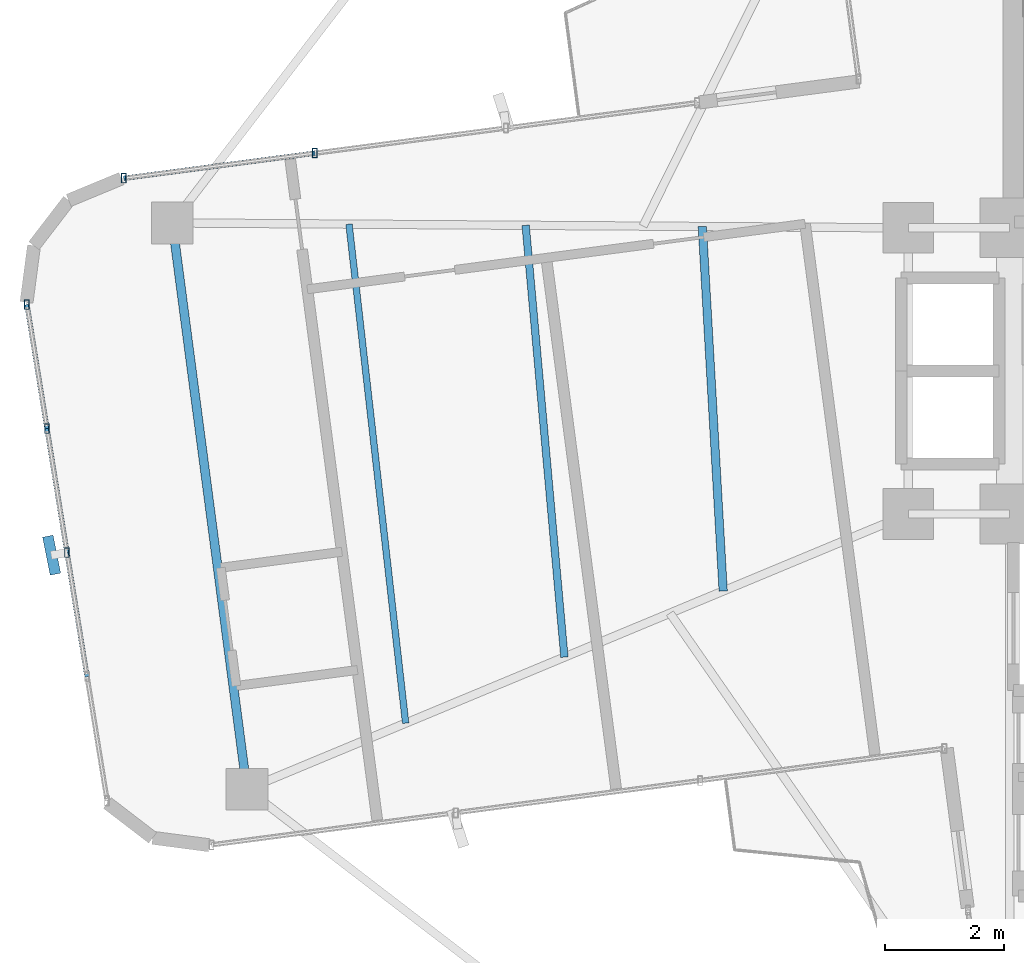
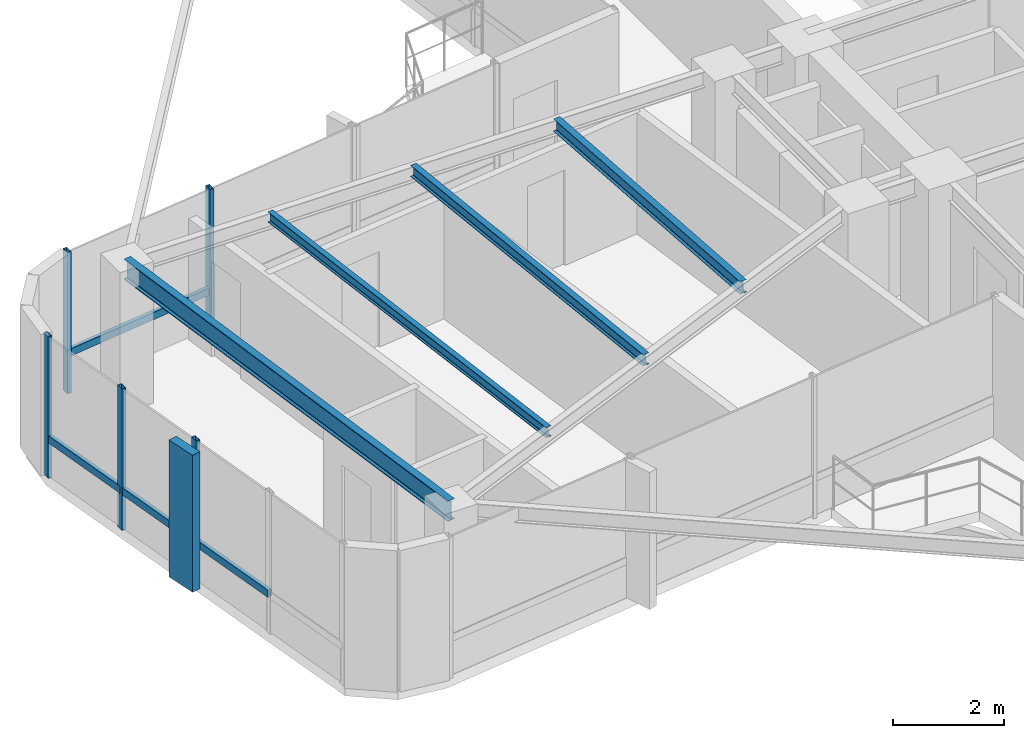
# One storey, part 6 of 22: 10 members, 4 beams, 2 elements without a shape of their own.
"""IFC4 building model written with IfcOpenShell, lengths in metres."""

from ifc_helpers import new_model, si_unit, direction, frame, origin, origin_2d, place, context, subcontext, project, spatial, rectangle, hollow_rectangle, i_section, extrude, source, transform, mapped, material, material_profile, profile_set, type_object, element, aggregate, save


model = new_model("IFC4")

# Units and contexts
model_context = context("Model", 3, precision=1e-05, world=origin(), true_north=direction((0.0, 1.0)))
body_context = subcontext(model_context, "Body", "Model", "MODEL_VIEW")
ifc_project = project(units=[si_unit("LENGTHUNIT", "METRE"), si_unit("AREAUNIT", "SQUARE_METRE"), si_unit("VOLUMEUNIT", "CUBIC_METRE"), si_unit("PLANEANGLEUNIT", "RADIAN"), si_unit("MASSUNIT", "GRAM", prefix="KILO")], contexts=[model_context])

# Site, building, storey
site_placement = place(None, origin())
site = spatial("IfcSite", under=ifc_project, at=site_placement, CompositionType="ELEMENT")
building_placement = place(site_placement, origin())
building = spatial("IfcBuilding", under=site, at=building_placement, Name="Sahyath Konkavel Grand Hotel", CompositionType="ELEMENT")
storey_placement = place(building_placement, frame((0.0, 0.0, 223.25)))
storey = spatial("IfcBuildingStorey", under=building, at=storey_placement, Name="L62", CompositionType="ELEMENT", Elevation=223.25)

# Beams
ifc_material_1 = material(Name="Steel E350", Category="steel")
ifc_material_profile_1 = material_profile(ifc_material_1, i_section(OverallWidth=0.14990234375, OverallDepth=0.449951171875, WebThickness=0.009521484375, FlangeThickness=0.017333984375, FilletRadius=0.014892578125, at=origin_2d()), Name="ISMB 450")
ifc_profile_set_1 = profile_set([ifc_material_profile_1], Name="Steel E350")
beam_type_1 = type_object("IfcBeamType", Name="BM-ISMB450", PredefinedType="BEAM", material=ifc_profile_set_1)
shared_shape_1 = source(origin(), body_context, "Body", "SweptSolid", [
    extrude(i_section(OverallWidth=0.14990234375, OverallDepth=0.449951171875, WebThickness=0.009521484375, FlangeThickness=0.017333984375, FilletRadius=0.014892578125, at=origin_2d()), origin(), (0.0, 0.0, 1.0), 9.583984375),
])
beam_1_placement = place(storey_placement, frame((-17.849853515625, 2.4833984375, 2.885009765625), z_axis=(0.130528315451, -0.991444581843, 0.0), x_axis=(0.991444581843, 0.130528315451, 0.0)))
element("IfcBeam", 1, at=beam_1_placement, inside=storey, type_object=beam_type_1, Name="L62 Wing Tip Edge Beam W", PredefinedType="BEAM", context=body_context, shape_type="MappedRepresentation", body=[
    mapped(shared_shape_1, transform((0.0, 0.0, 0.0), scale=1.0)),
])
ifc_material_profile_2 = material_profile(ifc_material_1, i_section(OverallWidth=0.139892578125, OverallDepth=0.27490234375, WebThickness=0.00634765625, FlangeThickness=0.0087890625, FilletRadius=0.012939453125, at=origin_2d()), Name="ISLB 275")
ifc_profile_set_2 = profile_set([ifc_material_profile_2], Name="Steel E350")
beam_type_2 = type_object("IfcBeamType", Name="BM-ISLB275", PredefinedType="BEAM", material=ifc_profile_set_2)
shared_shape_2 = source(origin(), body_context, "Body", "SweptSolid", [
    extrude(i_section(OverallWidth=0.139892578125, OverallDepth=0.27490234375, WebThickness=0.00634765625, FlangeThickness=0.0087890625, FilletRadius=0.012939453125, at=origin_2d()), origin(), (0.0, 0.0, 1.0), 6.12646484375),
])
beam_2_placement = place(storey_placement, frame((-8.9580078125, 2.42333984375, 2.972412109375), z_axis=(0.057184839251, -0.998363608191, 0.0), x_axis=(0.998363608191, 0.057184839251, 0.0)))
element("IfcBeam", 2, at=beam_2_placement, inside=storey, type_object=beam_type_2, Name="L62 Secondary Floor Beam W-1", PredefinedType="BEAM", context=body_context, shape_type="MappedRepresentation", body=[
    mapped(shared_shape_2, transform((0.0, 0.0, 0.0), scale=1.0)),
])
ifc_material_profile_3 = material_profile(ifc_material_1, i_section(OverallWidth=0.125, OverallDepth=0.25, WebThickness=0.0068359375, FlangeThickness=0.012451171875, FilletRadius=0.012939453125, at=origin_2d()), Name="ISMB 250")
ifc_profile_set_3 = profile_set([ifc_material_profile_3], Name="Steel E350")
beam_type_3 = type_object("IfcBeamType", Name="BM-ISMB250", PredefinedType="BEAM", material=ifc_profile_set_3)
shared_shape_3 = source(origin(), body_context, "Body", "SweptSolid", [
    extrude(i_section(OverallWidth=0.125, OverallDepth=0.25, WebThickness=0.0068359375, FlangeThickness=0.012451171875, FilletRadius=0.012939453125, at=origin_2d()), origin(), (0.0, 0.0, 1.0), 7.274169921875),
])
beam_3_placement = place(storey_placement, frame((-11.921875, 2.443359375, 2.985107421875), z_axis=(0.089409975544, -0.995994907755, 0.0), x_axis=(0.995994907755, 0.089409975544, 0.0)))
element("IfcBeam", 3, at=beam_3_placement, inside=storey, type_object=beam_type_3, Name="L62 Secondary Floor Beam W-2", PredefinedType="BEAM", context=body_context, shape_type="MappedRepresentation", body=[
    mapped(shared_shape_3, transform((0.0, 0.0, 0.0), scale=1.0)),
])
ifc_material_profile_4 = material_profile(ifc_material_1, i_section(OverallWidth=0.110107421875, OverallDepth=0.22509765625, WebThickness=0.006591796875, FlangeThickness=0.01171875, FilletRadius=0.011962890625, at=origin_2d()), Name="ISMB 225")
ifc_profile_set_4 = profile_set([ifc_material_profile_4], Name="Steel E350")
beam_type_4 = type_object("IfcBeamType", Name="BM-ISMB225", PredefinedType="BEAM", material=ifc_profile_set_4)
shared_shape_4 = source(origin(), body_context, "Body", "SweptSolid", [
    extrude(i_section(OverallWidth=0.110107421875, OverallDepth=0.22509765625, WebThickness=0.006591796875, FlangeThickness=0.01171875, FilletRadius=0.011962890625, at=origin_2d()), origin(), (0.0, 0.0, 1.0), 8.42724609375),
])
beam_4_placement = place(storey_placement, frame((-14.885986328125, 2.46337890625, 2.99755859375), z_axis=(0.112809584756, -0.993616625056, 0.0), x_axis=(0.993616625056, 0.112809584756, 0.0)))
element("IfcBeam", 4, at=beam_4_placement, inside=storey, type_object=beam_type_4, Name="L62 Secondary Floor Beam W-3", PredefinedType="BEAM", context=body_context, shape_type="MappedRepresentation", body=[
    mapped(shared_shape_4, transform((0.0, 0.0, 0.0), scale=1.0)),
])

# Curtain wall, member
ifc_material_2 = material(Name="Anodised Bronze Aluminium & Low-E Glazing", Category="aluminium")
curtain_wall_type = type_object("IfcCurtainWallType", Name="CW-ZONE4", PredefinedType="NOTDEFINED", material=ifc_material_2)
curtain_wall_1_placement = place(storey_placement, origin())
curtain_wall_1 = element("IfcCurtainWall", 5, at=curtain_wall_1_placement, inside=storey, type_object=curtain_wall_type, Name="L62 Unitised Curtain Wall F20", PredefinedType="NOTDEFINED")
ifc_material_3 = material(Name="Warm Buff Sandstone Cladding on Concrete C50/60", Category="masonry")
ifc_material_profile_5 = material_profile(ifc_material_3, rectangle(XDim=0.179931640625, YDim=0.64990234375, at=origin_2d()), Name="FIN 180x650")
ifc_profile_set_5 = profile_set([ifc_material_profile_5], Name="Warm Buff Sandstone Cladding on Concrete C50/60")
member_type_1 = type_object("IfcMemberType", Name="FIN-SANDSTONE-650", PredefinedType="MULLION", material=ifc_profile_set_5)
shared_shape_5 = source(origin(), body_context, "Body", "SweptSolid", [
    extrude(rectangle(XDim=0.179931640625, YDim=0.64990234375, at=origin_2d()), origin(), (0.0, 0.0, 1.0), 3.010009765625),
])
member_1_placement = place(storey_placement, frame((-19.87548828125, -3.0908203125, 0.050048828125), z_axis=(0.0, 0.0, 1.0), x_axis=(0.980785280403, 0.195090322016, 0.0)))
member_1 = element("IfcMember", 6, at=member_1_placement, type_object=member_type_1, Name="L62 Sandstone Vertical Solar Fin FIN F20-2", PredefinedType="MULLION", context=body_context, shape_type="MappedRepresentation", body=[
    mapped(shared_shape_5, transform((0.0, 0.0, 0.0), scale=1.0)),
])

# Curtain wall, members
curtain_wall_2_placement = place(storey_placement, origin())
curtain_wall_2 = element("IfcCurtainWall", 7, at=curtain_wall_2_placement, inside=storey, type_object=curtain_wall_type, Name="L62 Unitised Curtain Wall F16", PredefinedType="NOTDEFINED")
ifc_material_4 = material(Name="Anodised Bronze Aluminium", Category="aluminium")
ifc_material_profile_6 = material_profile(ifc_material_4, hollow_rectangle(XDim=0.080078125, YDim=0.159912109375, WallThickness=0.006103515625, at=origin_2d()), Name="RHS 160x80x6")
ifc_profile_set_6 = profile_set([ifc_material_profile_6], Name="Anodised Bronze Aluminium")
member_type_2 = type_object("IfcMemberType", Name="CW-MUL-160", PredefinedType="MULLION", material=ifc_profile_set_6)
shared_shape_6 = source(origin(), body_context, "Body", "SweptSolid", [
    extrude(hollow_rectangle(XDim=0.080078125, YDim=0.159912109375, WallThickness=0.006103515625, at=origin_2d()), origin(), (0.0, 0.0, 1.0), 3.110107421875),
])
member_2_placement = place(storey_placement, frame((-15.458740234375, 3.655517578125, 0.0), z_axis=(0.0, 0.0, 1.0), x_axis=(1.0, 0.0, 0.0)))
member_2 = element("IfcMember", 8, at=member_2_placement, type_object=member_type_2, Name="L62 Curtain Wall Mullion F16-2", PredefinedType="MULLION", context=body_context, shape_type="MappedRepresentation", body=[
    mapped(shared_shape_6, transform((0.0, 0.0, 0.0), scale=1.0)),
])
member_3_placement = place(storey_placement, frame((-18.664794921875, 3.2333984375, 0.0), z_axis=(0.0, 0.0, 1.0), x_axis=(1.0, 0.0, 0.0)))
member_3 = element("IfcMember", 9, at=member_3_placement, type_object=member_type_2, Name="L62 Curtain Wall Mullion F16-3", PredefinedType="MULLION", context=body_context, shape_type="MappedRepresentation", body=[
    mapped(shared_shape_6, transform((0.0, 0.0, 0.0), scale=1.0)),
])

# Member
member_4_placement = place(storey_placement, frame((-20.290771484375, 1.113037109375, 0.0), z_axis=(0.0, 0.0, 1.0), x_axis=(1.0, 0.0, 0.0)))
member_4 = element("IfcMember", 10, at=member_4_placement, type_object=member_type_2, Name="L62 Curtain Wall Mullion F20-0", PredefinedType="MULLION", context=body_context, shape_type="MappedRepresentation", body=[
    mapped(shared_shape_6, transform((0.0, 0.0, 0.0), scale=1.0)),
])

member_5_placement = place(storey_placement, frame((-19.954833984375, -0.968017578125, 0.0), z_axis=(0.0, 0.0, 1.0), x_axis=(1.0, 0.0, 0.0)))
member_5 = element("IfcMember", 11, at=member_5_placement, type_object=member_type_2, Name="L62 Curtain Wall Mullion F20-1", PredefinedType="MULLION", context=body_context, shape_type="MappedRepresentation", body=[
    mapped(shared_shape_6, transform((0.0, 0.0, 0.0), scale=1.0)),
])

member_6_placement = place(storey_placement, frame((-19.618896484375, -3.04931640625, 0.0), z_axis=(0.0, 0.0, 1.0), x_axis=(1.0, 0.0, 0.0)))
member_6 = element("IfcMember", 12, at=member_6_placement, type_object=member_type_2, Name="L62 Curtain Wall Mullion F20-2", PredefinedType="MULLION", context=body_context, shape_type="MappedRepresentation", body=[
    mapped(shared_shape_6, transform((0.0, 0.0, 0.0), scale=1.0)),
])

ifc_material_profile_7 = material_profile(ifc_material_4, hollow_rectangle(XDim=0.080078125, YDim=0.159912109375, WallThickness=0.006103515625, at=origin_2d()), Name="RHS 160x80x6")
ifc_profile_set_7 = profile_set([ifc_material_profile_7], Name="Anodised Bronze Aluminium")
member_type_3 = type_object("IfcMemberType", Name="CW-TRN-160", PredefinedType="USERDEFINED", material=ifc_profile_set_7)
shared_shape_7 = source(origin(), body_context, "Body", "SweptSolid", [
    extrude(hollow_rectangle(XDim=0.080078125, YDim=0.159912109375, WallThickness=0.006103515625, at=origin_2d()), origin(), (0.0, 0.0, 1.0), 3.233642578125),
])
member_7_placement = place(storey_placement, frame((-15.458740234375, 3.655517578125, 0.85009765625), z_axis=(-0.991443499338, -0.130536537493, 0.0), x_axis=(0.130536537493, -0.991443499338, 0.0)))
member_7 = element("IfcMember", 13, at=member_7_placement, type_object=member_type_3, Name="L62 Curtain Wall Transom F16-2-spandrel", ObjectType="TRANSOM", PredefinedType="USERDEFINED", context=body_context, shape_type="MappedRepresentation", body=[
    mapped(shared_shape_7, transform((0.0, 0.0, 0.0), scale=1.0)),
])

aggregate(curtain_wall_2, [member_2, member_3, member_7])

shared_shape_8 = source(origin(), body_context, "Body", "SweptSolid", [
    extrude(hollow_rectangle(XDim=0.080078125, YDim=0.159912109375, WallThickness=0.006103515625, at=origin_2d()), origin(), (0.0, 0.0, 1.0), 2.10791015625),
])
member_8_placement = place(storey_placement, frame((-20.290771484375, 1.113037109375, 0.85009765625), z_axis=(0.159363523861, -0.987219969036, 0.0), x_axis=(0.987219969036, 0.159363523861, 0.0)))
member_8 = element("IfcMember", 14, at=member_8_placement, type_object=member_type_3, Name="L62 Curtain Wall Transom F20-0-spandrel", ObjectType="TRANSOM", PredefinedType="USERDEFINED", context=body_context, shape_type="MappedRepresentation", body=[
    mapped(shared_shape_8, transform((0.0, 0.0, 0.0), scale=1.0)),
])

shared_shape_9 = source(origin(), body_context, "Body", "SweptSolid", [
    extrude(hollow_rectangle(XDim=0.080078125, YDim=0.159912109375, WallThickness=0.006103515625, at=origin_2d()), origin(), (0.0, 0.0, 1.0), 2.108154296875),
])
member_9_placement = place(storey_placement, frame((-19.954833984375, -0.968017578125, 0.85009765625), z_axis=(0.159345304869, -0.987222909892, 0.0), x_axis=(0.987222909892, 0.159345304869, 0.0)))
member_9 = element("IfcMember", 15, at=member_9_placement, type_object=member_type_3, Name="L62 Curtain Wall Transom F20-1-spandrel", ObjectType="TRANSOM", PredefinedType="USERDEFINED", context=body_context, shape_type="MappedRepresentation", body=[
    mapped(shared_shape_9, transform((0.0, 0.0, 0.0), scale=1.0)),
])

member_10_placement = place(storey_placement, frame((-19.618896484375, -3.04931640625, 0.85009765625), z_axis=(0.159345304869, -0.987222909892, 0.0), x_axis=(0.987222909892, 0.159345304869, 0.0)))
member_10 = element("IfcMember", 16, at=member_10_placement, type_object=member_type_3, Name="L62 Curtain Wall Transom F20-2-spandrel", ObjectType="TRANSOM", PredefinedType="USERDEFINED", context=body_context, shape_type="MappedRepresentation", body=[
    mapped(shared_shape_9, transform((0.0, 0.0, 0.0), scale=1.0)),
])

aggregate(curtain_wall_1, [member_4, member_5, member_6, member_1, member_8, member_9, member_10])

save(model, "model.ifc")
